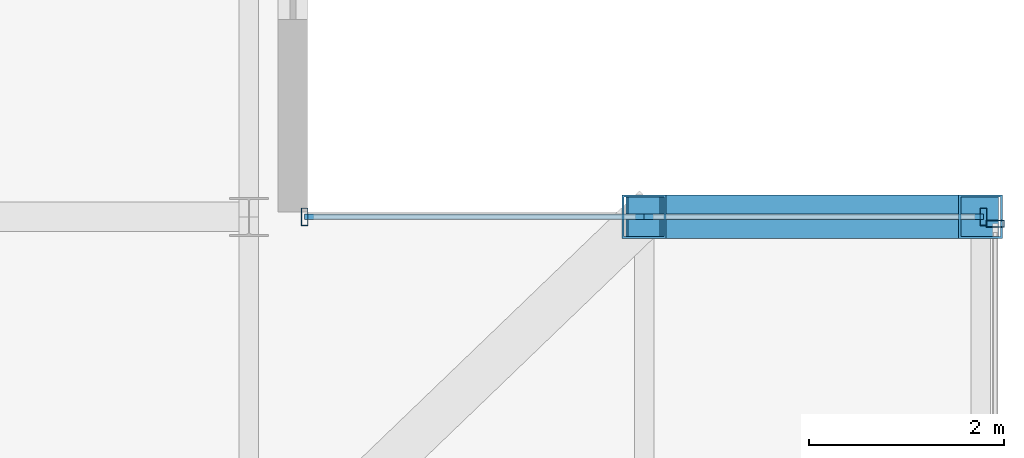
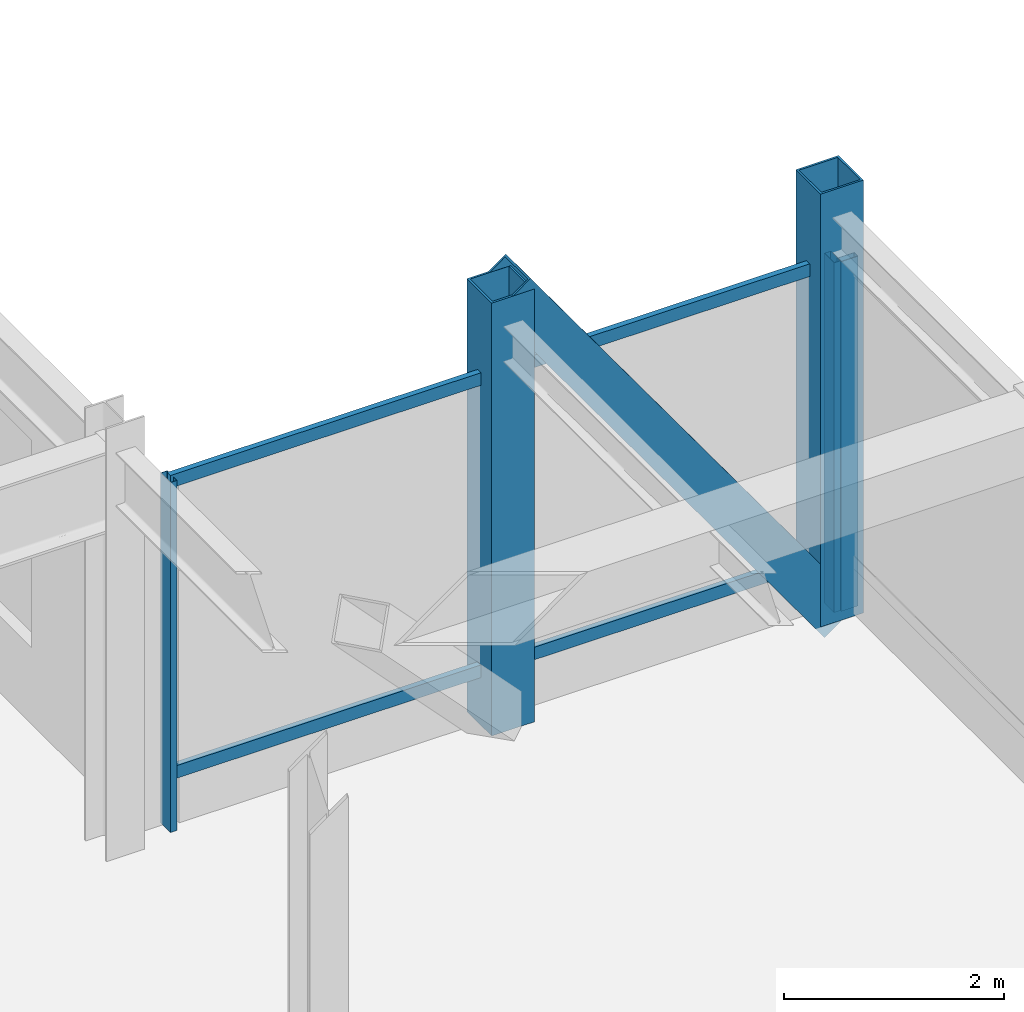
# One storey, part 12 of 26: 10 members, 2 elements without a shape of their own.
"""IFC4 building model written with IfcOpenShell, lengths in metres."""

from ifc_helpers import new_model, si_unit, direction, frame, origin, origin_2d, place, context, subcontext, project, spatial, hollow_rectangle, extrude, material, layer, layer_set, material_profile, profile_set, type_object, element, aggregate, save


model = new_model("IFC4")

# Units and contexts
model_context = context("Model", 3, precision=1e-05, world=origin(), true_north=direction((0.0, 1.0)))
body_context = subcontext(model_context, "Body", "Model", "MODEL_VIEW")
ifc_project = project(units=[si_unit("LENGTHUNIT", "METRE"), si_unit("AREAUNIT", "SQUARE_METRE"), si_unit("VOLUMEUNIT", "CUBIC_METRE"), si_unit("PLANEANGLEUNIT", "RADIAN"), si_unit("MASSUNIT", "GRAM", prefix="KILO")], contexts=[model_context])

# Site, building, storey
site_placement = place(None, origin())
site = spatial("IfcSite", under=ifc_project, at=site_placement, CompositionType="ELEMENT")
building_placement = place(site_placement, origin())
building = spatial("IfcBuilding", under=site, at=building_placement, Name="Veldorina Hangang Commons", CompositionType="ELEMENT")
storey_placement = place(building_placement, frame((0.0, 0.0, 5.199951171875)))
storey = spatial("IfcBuildingStorey", under=building, at=storey_placement, Name="L01", CompositionType="ELEMENT", Elevation=5.199951171875)

# Members
ifc_material_1 = material(Name="Steel SM420-TMC", Category="steel")
ifc_material_profile_1 = material_profile(ifc_material_1, hollow_rectangle(XDim=0.449951171875, YDim=0.449951171875, WallThickness=0.02197265625, at=origin_2d()), Name="SHS-450x450x22")
ifc_profile_set_1 = profile_set([ifc_material_profile_1], Name="Steel SM420-TMC")
member_type_1 = type_object("IfcMemberType", Name="CNT-SHS450", PredefinedType="BRACE", material=ifc_profile_set_1)
for number, where, z_axis, x_axis, name in (
    (1, (63.60009765625, 31.449951171875, 0.0), (0.0, 0.0, 1.0), (1.0, 0.0, 0.0), "L01 lounge truss vertical N-P1"),
    (2, (67.050048828125, 31.449951171875, 0.0), (0.0, 0.0, 1.0), (1.0, 0.0, 0.0), "L01 lounge truss vertical N-P2"),
):
    element("IfcMember", number, at=place(storey_placement, frame(where, z_axis=z_axis, x_axis=x_axis)), inside=storey, type_object=member_type_1, Name=name, PredefinedType="BRACE", context=body_context, shape_type="SweptSolid", body=[
        extrude(hollow_rectangle(XDim=0.449951171875, YDim=0.449951171875, WallThickness=0.02197265625, at=origin_2d()), origin(), (0.0, 0.0, 1.0), 4.800048828125),
    ])
member_1_placement = place(storey_placement, frame((63.60009765625, 31.449951171875, 4.800048828125), z_axis=(0.583626686872, 0.0, -0.812022099681), x_axis=(0.0, 1.0, 0.0)))
element("IfcMember", 3, at=member_1_placement, inside=storey, type_object=member_type_1, Name="L01 lounge truss diagonal N-D2", PredefinedType="BRACE", context=body_context, shape_type="SweptSolid", body=[
    extrude(hollow_rectangle(XDim=0.449951171875, YDim=0.449951171875, WallThickness=0.02197265625, at=origin_2d()), origin(), (0.0, 0.0, 1.0), 5.9111328125),
])

# Curtain wall, member
ifc_material_2 = material(Name="Glass Low-E Solar Control", Category="glass")
ifc_layer = layer(ifc_material_2, 0.179931640625)
ifc_layer_set = layer_set([ifc_layer], Name="Glass Low-E Solar Control")
curtain_wall_type = type_object("IfcCurtainWallType", Name="CW-SYS-CANT", PredefinedType="NOTDEFINED", material=ifc_layer_set)
curtain_wall_1_placement = place(storey_placement, origin())
curtain_wall_1 = element("IfcCurtainWall", 4, at=curtain_wall_1_placement, inside=storey, type_object=curtain_wall_type, Name="L01 unitised curtain wall CW-L01-CANT-E", PredefinedType="NOTDEFINED")
ifc_material_3 = material(Name="Aluminium Anodized AA6063-T6", Category="aluminium")
ifc_material_profile_2 = material_profile(ifc_material_3, hollow_rectangle(XDim=0.070068359375, YDim=0.179931640625, WallThickness=0.00390625, at=origin_2d()), Name="ALU-RHS-180x70x4")
ifc_profile_set_2 = profile_set([ifc_material_profile_2], Name="Aluminium Anodized AA6063-T6")
member_type_2 = type_object("IfcMemberType", Name="CW-MUL-180", PredefinedType="MULLION", material=ifc_profile_set_2)
member_2_placement = place(storey_placement, frame((67.199951171875, 31.3798828125, 0.0), z_axis=(0.0, 0.0, 1.0), x_axis=(0.0, -1.0, 0.0)))
member_2 = element("IfcMember", 5, at=member_2_placement, type_object=member_type_2, Name="CW-L01-CANT-E vertical mullion 2", PredefinedType="MULLION", context=body_context, shape_type="SweptSolid", body=[
    extrude(hollow_rectangle(XDim=0.070068359375, YDim=0.179931640625, WallThickness=0.00390625, at=origin_2d()), origin(), (0.0, 0.0, 1.0), 3.880126953125),
])
aggregate(curtain_wall_1, [member_2])

# Curtain wall, members
curtain_wall_2_placement = place(storey_placement, origin())
curtain_wall_2 = element("IfcCurtainWall", 6, at=curtain_wall_2_placement, inside=storey, type_object=curtain_wall_type, Name="L01 unitised curtain wall CW-L01-CANT-N", PredefinedType="NOTDEFINED")
member_3_placement = place(storey_placement, frame((67.080078125, 31.449951171875, 0.0), z_axis=(0.0, 0.0, 1.0), x_axis=(-1.0, 0.0, 0.0)))
member_3 = element("IfcMember", 7, at=member_3_placement, type_object=member_type_2, Name="CW-L01-CANT-N vertical mullion 1", PredefinedType="MULLION", context=body_context, shape_type="SweptSolid", body=[
    extrude(hollow_rectangle(XDim=0.070068359375, YDim=0.179931640625, WallThickness=0.00390625, at=origin_2d()), origin(), (0.0, 0.0, 1.0), 3.880126953125),
])
member_4_placement = place(storey_placement, frame((60.1201171875, 31.449951171875, 0.0), z_axis=(0.0, 0.0, 1.0), x_axis=(1.0, 0.0, 0.0)))
member_4 = element("IfcMember", 8, at=member_4_placement, type_object=member_type_2, Name="CW-L01-CANT-N vertical mullion 2", PredefinedType="MULLION", context=body_context, shape_type="SweptSolid", body=[
    extrude(hollow_rectangle(XDim=0.070068359375, YDim=0.179931640625, WallThickness=0.00390625, at=origin_2d()), origin(), (0.0, 0.0, 1.0), 3.880126953125),
])
ifc_material_profile_3 = material_profile(ifc_material_3, hollow_rectangle(XDim=0.06005859375, YDim=0.139892578125, WallThickness=0.00341796875, at=origin_2d()), Name="ALU-RHS-140x60x3.5")
ifc_profile_set_3 = profile_set([ifc_material_profile_3], Name="Aluminium Anodized AA6063-T6")
member_type_3 = type_object("IfcMemberType", Name="CW-TRN-140", PredefinedType="USERDEFINED", material=ifc_profile_set_3)
member_5_placement = place(storey_placement, frame((67.080078125, 31.449951171875, 0.60009765625), z_axis=(-1.0, 0.0, 0.0), x_axis=(0.0, -1.0, 0.0)))
member_5 = element("IfcMember", 9, at=member_5_placement, type_object=member_type_3, Name="CW-L01-CANT-N facet 1 transom 1", ObjectType="TRANSOM", PredefinedType="USERDEFINED", context=body_context, shape_type="SweptSolid", body=[
    extrude(hollow_rectangle(XDim=0.06005859375, YDim=0.139892578125, WallThickness=0.00341796875, at=origin_2d()), origin(), (0.0, 0.0, 1.0), 3.47998046875),
])
member_6_placement = place(storey_placement, frame((67.080078125, 31.449951171875, 3.840087890625), z_axis=(-1.0, 0.0, 0.0), x_axis=(0.0, -1.0, 0.0)))
member_6 = element("IfcMember", 10, at=member_6_placement, type_object=member_type_3, Name="CW-L01-CANT-N facet 1 transom 2", ObjectType="TRANSOM", PredefinedType="USERDEFINED", context=body_context, shape_type="SweptSolid", body=[
    extrude(hollow_rectangle(XDim=0.06005859375, YDim=0.139892578125, WallThickness=0.00341796875, at=origin_2d()), origin(), (0.0, 0.0, 1.0), 3.47998046875),
])
member_7_placement = place(storey_placement, frame((63.60009765625, 31.449951171875, 0.60009765625), z_axis=(-1.0, 0.0, 0.0), x_axis=(0.0, -1.0, 0.0)))
member_7 = element("IfcMember", 11, at=member_7_placement, type_object=member_type_3, Name="CW-L01-CANT-N facet 2 transom 1", ObjectType="TRANSOM", PredefinedType="USERDEFINED", context=body_context, shape_type="SweptSolid", body=[
    extrude(hollow_rectangle(XDim=0.06005859375, YDim=0.139892578125, WallThickness=0.00341796875, at=origin_2d()), origin(), (0.0, 0.0, 1.0), 3.47998046875),
])
member_8_placement = place(storey_placement, frame((63.60009765625, 31.449951171875, 3.840087890625), z_axis=(-1.0, 0.0, 0.0), x_axis=(0.0, -1.0, 0.0)))
member_8 = element("IfcMember", 12, at=member_8_placement, type_object=member_type_3, Name="CW-L01-CANT-N facet 2 transom 2", ObjectType="TRANSOM", PredefinedType="USERDEFINED", context=body_context, shape_type="SweptSolid", body=[
    extrude(hollow_rectangle(XDim=0.06005859375, YDim=0.139892578125, WallThickness=0.00341796875, at=origin_2d()), origin(), (0.0, 0.0, 1.0), 3.47998046875),
])
aggregate(curtain_wall_2, [member_3, member_4, member_5, member_6, member_7, member_8])

save(model, "model.ifc")
